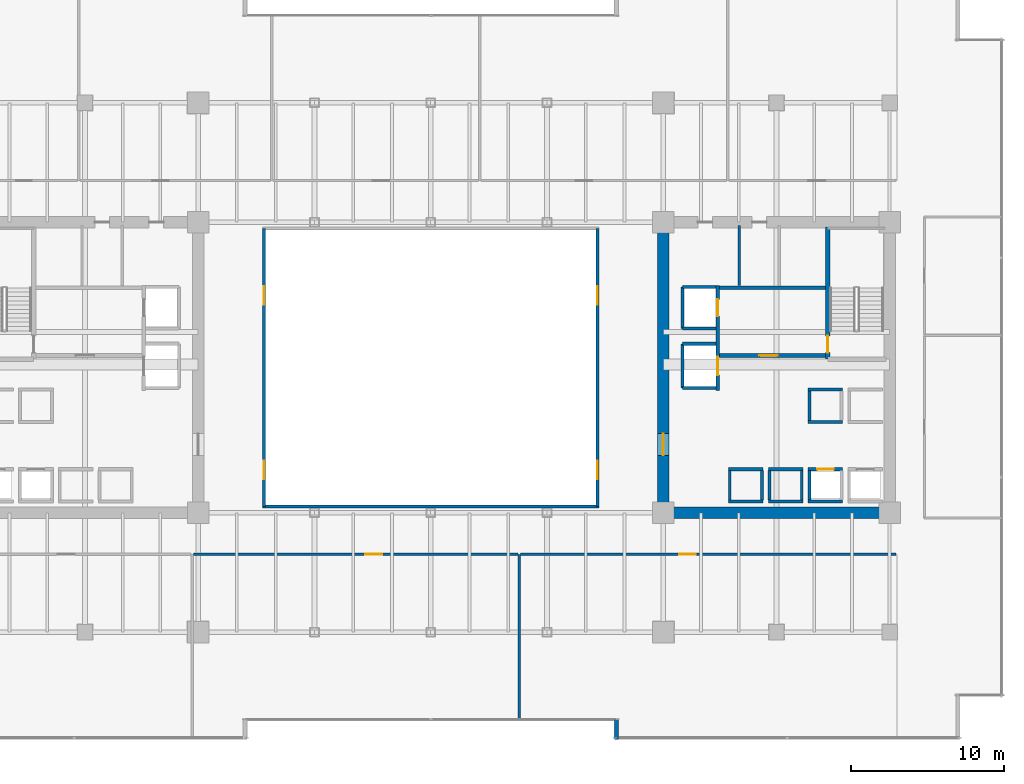
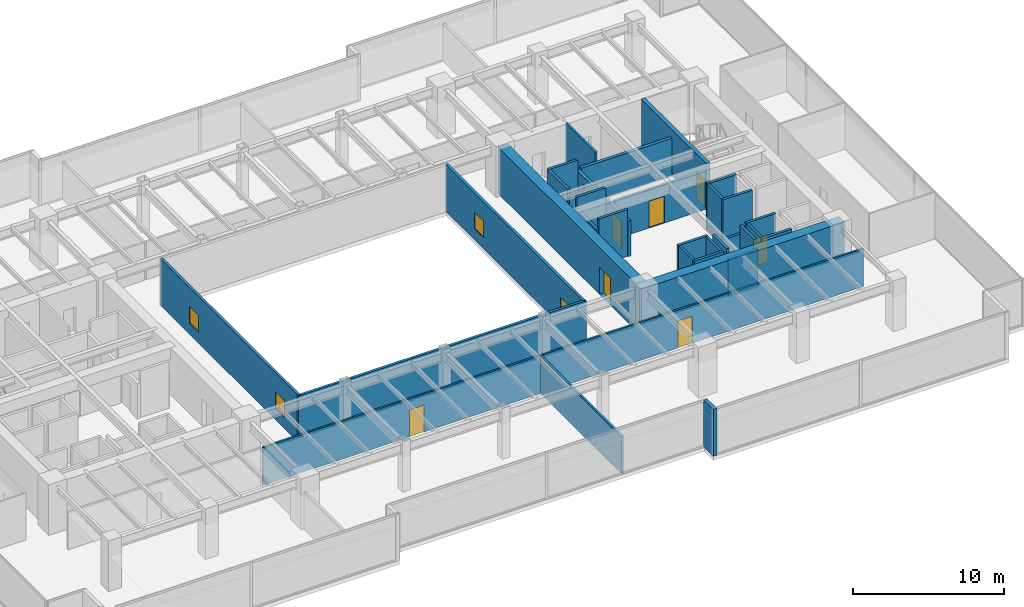
# One storey, part 30 of 36: 34 walls, 8 doors, 4 windows, 12 openings.
"""IFC4 building model written with IfcOpenShell, lengths in metres."""

from ifc_helpers import new_model, si_unit, direction, frame, frame_2d, origin, place, context, subcontext, project, spatial, rectangle, extrude, source, transform, mapped, material, layer, layer_set, type_object, type_shapes, element, fill, save


model = new_model("IFC4")

# Units and contexts
model_context = context("Model", 3, precision=1e-05, world=origin(), true_north=direction((0.0, 1.0)))
body_context = subcontext(model_context, "Body", "Model", "MODEL_VIEW")
ifc_project = project(units=[si_unit("LENGTHUNIT", "METRE"), si_unit("AREAUNIT", "SQUARE_METRE"), si_unit("VOLUMEUNIT", "CUBIC_METRE"), si_unit("PLANEANGLEUNIT", "RADIAN"), si_unit("MASSUNIT", "GRAM", prefix="KILO")], contexts=[model_context])

# Site, building, storey
site_placement = place(None, origin())
site = spatial("IfcSite", under=ifc_project, at=site_placement, CompositionType="ELEMENT")
building_placement = place(site_placement, origin())
building = spatial("IfcBuilding", under=site, at=building_placement, Name="Haelvirn Gate Laboratories", CompositionType="ELEMENT")
storey_placement = place(building_placement, frame((0.0, 0.0, 53.89990234375)))
storey = spatial("IfcBuildingStorey", under=building, at=storey_placement, Name="L13", CompositionType="ELEMENT", Elevation=53.89990234375)

# Walls
ifc_material_1 = material(Name="Thermally-broken bronze aluminium rainscreen & mineral wool", Category="aluminium")
ifc_layer_1 = layer(ifc_material_1, 0.280029296875, Name="EW-TERR-280")
ifc_layer_set_1 = layer_set([ifc_layer_1], Name="Thermally-broken bronze aluminium rainscreen & mineral wool")
wall_type_1 = type_object("IfcWallType", Name="EW-TERR-280", PredefinedType="STANDARD", material=ifc_layer_set_1)
wall_1_placement = place(storey_placement, frame((49.5400390625, 1.2880859375, 0.0), z_axis=(0.0, 0.0, 1.0), x_axis=(0.0, -1.0, 0.0)))
element("IfcWall", 1, at=wall_1_placement, inside=storey, type_object=wall_type_1, Name="L13 Atrium Recess Bronze Return Wall 03", PredefinedType="STANDARD", context=body_context, shape_type="SweptSolid", body=[
    extrude(rectangle(XDim=1.2880859375, YDim=0.280029296875, at=frame_2d((0.64404296875, 0.0))), origin(), (0.0, 0.0, 1.0), 3.780029296875),
])
ifc_material_2 = material(Name="Double-layer acoustic gypsum laboratory partition", Category="gypsum")
ifc_layer_2 = layer(ifc_material_2, 0.159912109375, Name="IW-ACOUST-160")
ifc_layer_set_2 = layer_set([ifc_layer_2], Name="Double-layer acoustic gypsum laboratory partition")
wall_type_2 = type_object("IfcWallType", Name="IW-ACOUST-160", PredefinedType="PARTITIONING", material=ifc_layer_set_2)
wall_2_placement = place(storey_placement, frame((43.199951171875, 1.31005859375, 0.0), z_axis=(0.0, 0.0, 1.0), x_axis=(0.0, 1.0, 0.0)))
element("IfcWall", 2, at=wall_2_placement, inside=storey, type_object=wall_type_2, Name="L13 Interior Wall IW-L13-SDIV-02", PredefinedType="PARTITIONING", context=body_context, shape_type="SweptSolid", body=[
    extrude(rectangle(XDim=10.780029296875, YDim=0.159912109375, at=frame_2d((5.39013671875, 0.0))), origin(), (0.0, 0.0, 1.0), 3.01513671875),
])

# Wall, openings, windows
ifc_material_3 = material(Name="Tempered fire-rated borosilicate glass & anodised aluminium", Category="aluminium")
ifc_layer_3 = layer(ifc_material_3, 0.195068359375, Name="IW-GLAZ-200")
ifc_layer_set_3 = layer_set([ifc_layer_3], Name="Tempered fire-rated borosilicate glass & anodised aluminium")
wall_type_3 = type_object("IfcWallType", Name="IW-GLAZ-200", PredefinedType="SOLIDWALL", material=ifc_layer_set_3)
wall_3_placement = place(storey_placement, frame((26.5, 15.199951171875, 0.0), z_axis=(0.0, 0.0, 1.0), x_axis=(0.0, 1.0, 0.0)))
wall_3 = element("IfcWall", 3, at=wall_3_placement, inside=storey, type_object=wall_type_3, Name="L13 Interior Wall IW-L13-ATRIUM-W", PredefinedType="SOLIDWALL", context=body_context, shape_type="SweptSolid", body=[
    extrude(rectangle(XDim=18.199951171875, YDim=0.195068359375, at=frame_2d((9.10009765625, 0.0))), origin(), (0.0, 0.0, 1.0), 3.780029296875),
])
opening_1_placement = place(wall_3_placement, frame((1.800048828125, 0.0, 0.89990234375)))
opening_1 = element("IfcOpeningElement", 4, at=opening_1_placement, cuts=wall_3, Name="Opening W6", PredefinedType="OPENING", context=body_context, shape_type="SweptSolid", body=[
    extrude(rectangle(XDim=1.199951171875, YDim=1.35009765625, at=frame_2d((0.60009765625, 0.675048828125))), frame((0.0, 0.107421875, 0.0), z_axis=(0.0, -1.0, 0.0), x_axis=(1.0, 0.0, 0.0)), (0.0, 0.0, 1.0), 0.215087890625),
])
opening_2_placement = place(wall_3_placement, frame((13.199951171875, 0.0, 0.89990234375)))
opening_2 = element("IfcOpeningElement", 5, at=opening_2_placement, cuts=wall_3, Name="Opening W6", PredefinedType="OPENING", context=body_context, shape_type="SweptSolid", body=[
    extrude(rectangle(XDim=1.199951171875, YDim=1.35009765625, at=frame_2d((0.60009765625, 0.675048828125))), frame((0.0, 0.107421875, 0.0), z_axis=(0.0, -1.0, 0.0), x_axis=(1.0, 0.0, 0.0)), (0.0, 0.0, 1.0), 0.215087890625),
])
ifc_material_4 = material(Name="Fire-rated EI 120 borosilicate atrium vision glazing", Category="glass")
window_type = type_object("IfcWindowType", Name="WN-ATR-1200", PartitioningType="SINGLE_PANEL", PredefinedType="WINDOW", material=ifc_material_4)
shared_shape_1 = source(origin(), body_context, "Body", "SweptSolid", [
    extrude(rectangle(XDim=1.199951171875, YDim=1.35009765625, at=frame_2d((0.60009765625, 0.675048828125))), frame((0.0, 0.030029296875, 0.0), z_axis=(0.0, -1.0, 0.0), x_axis=(1.0, 0.0, 0.0)), (0.0, 0.0, 1.0), 0.06005859375),
])
type_shapes(window_type, [shared_shape_1])
window_1_placement = place(opening_1_placement, origin())
window_1 = element("IfcWindow", 6, at=window_1_placement, inside=storey, type_object=window_type, Name="L13 Atrium Observation Window 1", OverallHeight=1.35009765625, OverallWidth=1.199951171875, PartitioningType="SINGLE_PANEL", PredefinedType="WINDOW", context=body_context, shape_type="MappedRepresentation", body=[
    mapped(shared_shape_1, transform((0.0, 0.0, 0.0), scale=1.0)),
])
fill(opening_1, window_1)
window_2_placement = place(opening_2_placement, origin())
window_2 = element("IfcWindow", 7, at=window_2_placement, inside=storey, type_object=window_type, Name="L13 Atrium Observation Window 2", OverallHeight=1.35009765625, OverallWidth=1.199951171875, PartitioningType="SINGLE_PANEL", PredefinedType="WINDOW", context=body_context, shape_type="MappedRepresentation", body=[
    mapped(shared_shape_1, transform((0.0, 0.0, 0.0), scale=1.0)),
])
fill(opening_2, window_2)

wall_4_placement = place(storey_placement, frame((48.300048828125, 15.199951171875, 0.0), z_axis=(0.0, 0.0, 1.0), x_axis=(0.0, 1.0, 0.0)))
wall_4 = element("IfcWall", 8, at=wall_4_placement, inside=storey, type_object=wall_type_3, Name="L13 Interior Wall IW-L13-ATRIUM-E", PredefinedType="SOLIDWALL", context=body_context, shape_type="SweptSolid", body=[
    extrude(rectangle(XDim=18.199951171875, YDim=0.195068359375, at=frame_2d((9.10009765625, 0.0))), origin(), (0.0, 0.0, 1.0), 3.780029296875),
])
opening_3_placement = place(wall_4_placement, frame((1.800048828125, 0.0, 0.89990234375)))
opening_3 = element("IfcOpeningElement", 9, at=opening_3_placement, cuts=wall_4, Name="Opening W6", PredefinedType="OPENING", context=body_context, shape_type="SweptSolid", body=[
    extrude(rectangle(XDim=1.199951171875, YDim=1.35009765625, at=frame_2d((0.60009765625, 0.675048828125))), frame((0.0, 0.107421875, 0.0), z_axis=(0.0, -1.0, 0.0), x_axis=(1.0, 0.0, 0.0)), (0.0, 0.0, 1.0), 0.215087890625),
])
opening_4_placement = place(wall_4_placement, frame((13.199951171875, 0.0, 0.89990234375)))
opening_4 = element("IfcOpeningElement", 10, at=opening_4_placement, cuts=wall_4, Name="Opening W6", PredefinedType="OPENING", context=body_context, shape_type="SweptSolid", body=[
    extrude(rectangle(XDim=1.199951171875, YDim=1.35009765625, at=frame_2d((0.60009765625, 0.675048828125))), frame((0.0, 0.107421875, 0.0), z_axis=(0.0, -1.0, 0.0), x_axis=(1.0, 0.0, 0.0)), (0.0, 0.0, 1.0), 0.215087890625),
])
window_3_placement = place(opening_3_placement, origin())
window_3 = element("IfcWindow", 11, at=window_3_placement, inside=storey, type_object=window_type, Name="L13 Atrium Observation Window 1", OverallHeight=1.35009765625, OverallWidth=1.199951171875, PartitioningType="SINGLE_PANEL", PredefinedType="WINDOW", context=body_context, shape_type="MappedRepresentation", body=[
    mapped(shared_shape_1, transform((0.0, 0.0, 0.0), scale=1.0)),
])
fill(opening_3, window_3)
window_4_placement = place(opening_4_placement, origin())
window_4 = element("IfcWindow", 12, at=window_4_placement, inside=storey, type_object=window_type, Name="L13 Atrium Observation Window 2", OverallHeight=1.35009765625, OverallWidth=1.199951171875, PartitioningType="SINGLE_PANEL", PredefinedType="WINDOW", context=body_context, shape_type="MappedRepresentation", body=[
    mapped(shared_shape_1, transform((0.0, 0.0, 0.0), scale=1.0)),
])
fill(opening_4, window_4)

# Wall
wall_5_placement = place(storey_placement, frame((26.39990234375, 15.199951171875, 0.0), z_axis=(0.0, 0.0, 1.0), x_axis=(1.0, 0.0, 0.0)))
element("IfcWall", 13, at=wall_5_placement, inside=storey, type_object=wall_type_3, Name="L13 Interior Wall IW-L13-ATRIUM-S", PredefinedType="SOLIDWALL", context=body_context, shape_type="SweptSolid", body=[
    extrude(rectangle(XDim=22.0, YDim=0.195068359375, at=frame_2d((11.0, 0.0))), origin(), (0.0, 0.0, 1.0), 3.780029296875),
])

# Wall, opening, door
ifc_material_5 = material(Name="Acoustic mineral-wool gypsum board partition", Category="gypsum")
ifc_layer_4 = layer(ifc_material_5, 0.139892578125, Name="IW-PART-140")
ifc_layer_set_4 = layer_set([ifc_layer_4], Name="Acoustic mineral-wool gypsum board partition")
wall_type_4 = type_object("IfcWallType", Name="IW-PART-140", PredefinedType="PARTITIONING", material=ifc_layer_set_4)
wall_6_placement = place(storey_placement, frame((21.8798828125, 12.090087890625, 0.0), z_axis=(0.0, 0.0, 1.0), x_axis=(1.0, 0.0, 0.0)))
wall_6 = element("IfcWall", 14, at=wall_6_placement, inside=storey, type_object=wall_type_4, Name="L13 Interior Wall IW-L13-SCORR-02", PredefinedType="PARTITIONING", context=body_context, shape_type="SweptSolid", body=[
    extrude(rectangle(XDim=21.240234375, YDim=0.139892578125, at=frame_2d((10.6201171875, 0.0))), origin(), (0.0, 0.0, 1.0), 3.065185546875),
])
opening_5_placement = place(wall_6_placement, frame((11.236328125, 0.0, 0.0)))
opening_5 = element("IfcOpeningElement", 15, at=opening_5_placement, cuts=wall_6, Name="Opening D1", PredefinedType="OPENING", context=body_context, shape_type="SweptSolid", body=[
    extrude(rectangle(XDim=1.10009765625, YDim=2.179931640625, at=frame_2d((0.550048828125, 1.08984375))), frame((0.0, 0.080078125, 0.0), z_axis=(0.0, -1.0, 0.0), x_axis=(1.0, 0.0, 0.0)), (0.0, 0.0, 1.0), 0.159912109375),
])
ifc_material_6 = material(Name="Vision-panel acoustic solid-core timber lab door", Category="wood")
door_type_1 = type_object("IfcDoorType", Name="DR-LAB-1100", OperationType="NOTDEFINED", PredefinedType="DOOR", material=ifc_material_6)
shared_shape_2 = source(origin(), body_context, "Body", "SweptSolid", [
    extrude(rectangle(XDim=1.10009765625, YDim=2.179931640625, at=frame_2d((0.550048828125, 1.08984375))), frame((0.0, 0.02490234375, 0.0), z_axis=(0.0, -1.0, 0.0), x_axis=(1.0, 0.0, 0.0)), (0.0, 0.0, 1.0), 0.050048828125),
])
type_shapes(door_type_1, [shared_shape_2])
door_1_placement = place(opening_5_placement, origin())
door_1 = element("IfcDoor", 16, at=door_1_placement, inside=storey, type_object=door_type_1, Name="L13 Colloquium Conference Room Door S2", OperationType="SINGLE_SWING_LEFT", OverallHeight=2.179931640625, OverallWidth=1.10009765625, PredefinedType="DOOR", context=body_context, shape_type="MappedRepresentation", body=[
    mapped(shared_shape_2, transform((0.0, 0.0, 0.0), scale=1.0)),
])
fill(opening_5, door_1)

wall_7_placement = place(storey_placement, frame((43.280029296875, 12.090087890625, 0.0), z_axis=(0.0, 0.0, 1.0), x_axis=(1.0, 0.0, 0.0)))
wall_7 = element("IfcWall", 17, at=wall_7_placement, inside=storey, type_object=wall_type_4, Name="L13 Interior Wall IW-L13-SCORR-03", PredefinedType="PARTITIONING", context=body_context, shape_type="SweptSolid", body=[
    extrude(rectangle(XDim=24.5400390625, YDim=0.139892578125, at=frame_2d((12.27001953125, 0.0))), origin(), (0.0, 0.0, 1.0), 3.065185546875),
])
opening_6_placement = place(wall_7_placement, frame((10.355712890625, 0.0, 0.0)))
opening_6 = element("IfcOpeningElement", 18, at=opening_6_placement, cuts=wall_7, Name="Opening D1", PredefinedType="OPENING", context=body_context, shape_type="SweptSolid", body=[
    extrude(rectangle(XDim=1.10009765625, YDim=2.179931640625, at=frame_2d((0.550048828125, 1.08984375))), frame((0.0, 0.080078125, 0.0), z_axis=(0.0, -1.0, 0.0), x_axis=(1.0, 0.0, 0.0)), (0.0, 0.0, 1.0), 0.159912109375),
])
door_2_placement = place(opening_6_placement, origin())
door_2 = element("IfcDoor", 19, at=door_2_placement, inside=storey, type_object=door_type_1, Name="L13 Floor Hydration & Tea Servery Door S3", OperationType="SINGLE_SWING_RIGHT", OverallHeight=2.179931640625, OverallWidth=1.10009765625, PredefinedType="DOOR", context=body_context, shape_type="MappedRepresentation", body=[
    mapped(shared_shape_2, transform((0.0, 0.0, 0.0), scale=1.0)),
])
fill(opening_6, door_2)

# Walls
ifc_material_7 = material(Name="Cement-board restroom plumbing chase wall", Category="gypsum")
ifc_layer_5 = layer(ifc_material_7, 0.155029296875, Name="IW-PLUMB-160")
ifc_layer_set_5 = layer_set([ifc_layer_5], Name="Cement-board restroom plumbing chase wall")
wall_type_5 = type_object("IfcWallType", Name="IW-PLUMB-160", PredefinedType="PLUMBINGWALL", material=ifc_layer_set_5)
wall_8_placement = place(storey_placement, frame((57.56005859375, 29.64990234375, 0.0), z_axis=(0.0, 0.0, 1.0), x_axis=(0.0, 1.0, 0.0)))
element("IfcWall", 20, at=wall_8_placement, inside=storey, type_object=wall_type_5, Name="L13 Interior Wall IW-L13-E-CDIV-1", PredefinedType="PLUMBINGWALL", context=body_context, shape_type="SweptSolid", body=[
    extrude(rectangle(XDim=3.93017578125, YDim=0.155029296875, at=frame_2d((1.965087890625, 0.0))), origin(), (0.0, 0.0, 1.0), 3.780029296875),
])
ifc_material_8 = material(Name="Concrete C40/50", Category="concrete")
ifc_layer_6 = layer(ifc_material_8, 0.179931640625, Name="IW-SHAFT-180")
ifc_layer_set_6 = layer_set([ifc_layer_6], Name="Concrete C40/50")
wall_type_6 = type_object("IfcWallType", Name="IW-SHAFT-180", PredefinedType="SOLIDWALL", material=ifc_layer_set_6)
for number, where, z_axis, x_axis, name in (
    (21, (62.14990234375, 15.64990234375, 0.0), (0.0, 0.0, 1.0), (0.0, 1.0, 0.0), "L13 Interior Wall IW-L13-PL4-SD"),
    (22, (59.550048828125, 15.64990234375, 0.0), (0.0, 0.0, 1.0), (0.0, 1.0, 0.0), "L13 Interior Wall IW-L13-PL7-SD"),
    (23, (61.64990234375, 15.64990234375, 0.0), (0.0, 0.0, 1.0), (0.0, 1.0, 0.0), "L13 Interior Wall IW-L13-PL7-SDE"),
    (24, (56.949951171875, 15.64990234375, 0.0), (0.0, 0.0, 1.0), (0.0, 1.0, 0.0), "L13 Interior Wall IW-L13-PL8-SD"),
    (25, (59.050048828125, 15.64990234375, 0.0), (0.0, 0.0, 1.0), (0.0, 1.0, 0.0), "L13 Interior Wall IW-L13-PL8-SDE"),
):
    element("IfcWall", number, at=place(storey_placement, frame(where, z_axis=z_axis, x_axis=x_axis)), inside=storey, type_object=wall_type_6, Name=name, PredefinedType="SOLIDWALL", context=body_context, shape_type="SweptSolid", body=[
        extrude(rectangle(XDim=1.900146484375, YDim=0.179931640625, at=frame_2d((0.9501953125, 0.0))), origin(), (0.0, 0.0, 1.0), 3.780029296875),
    ])
wall_9_placement = place(storey_placement, frame((62.14990234375, 20.85009765625, 0.0), z_axis=(0.0, 0.0, 1.0), x_axis=(0.0, 1.0, 0.0)))
element("IfcWall", 26, at=wall_9_placement, inside=storey, type_object=wall_type_6, Name="L13 Interior Wall IW-L13-PL12-SD", PredefinedType="SOLIDWALL", context=body_context, shape_type="SweptSolid", body=[
    extrude(rectangle(XDim=1.89990234375, YDim=0.179931640625, at=frame_2d((0.949951171875, 0.0))), origin(), (0.0, 0.0, 1.0), 3.780029296875),
])

# Wall, opening, door
ifc_layer_7 = layer(ifc_material_8, 0.199951171875, Name="IW-SHAFT-200")
ifc_layer_set_7 = layer_set([ifc_layer_7], Name="Concrete C40/50")
wall_type_7 = type_object("IfcWallType", Name="IW-SHAFT-200", PredefinedType="SOLIDWALL", material=ifc_layer_set_7)
wall_10_placement = place(storey_placement, frame((62.070068359375, 17.64990234375, 0.0), z_axis=(0.0, 0.0, 1.0), x_axis=(1.0, 0.0, 0.0)))
wall_10 = element("IfcWall", 27, at=wall_10_placement, inside=storey, type_object=wall_type_7, Name="L13 Interior Wall IW-L13-PL4-FR", PredefinedType="SOLIDWALL", context=body_context, shape_type="SweptSolid", body=[
    extrude(rectangle(XDim=2.260009765625, YDim=0.199951171875, at=frame_2d((1.1298828125, 0.0))), origin(), (0.0, 0.0, 1.0), 3.780029296875),
])
opening_7_placement = place(wall_10_placement, frame((0.580078125, 0.0, 0.0)))
opening_7 = element("IfcOpeningElement", 28, at=opening_7_placement, cuts=wall_10, Name="Opening LD2", PredefinedType="OPENING", context=body_context, shape_type="SweptSolid", body=[
    extrude(rectangle(XDim=1.10009765625, YDim=2.219970703125, at=frame_2d((0.550048828125, 1.10986328125))), frame((0.0, 0.10986328125, 0.0), z_axis=(0.0, -1.0, 0.0), x_axis=(1.0, 0.0, 0.0)), (0.0, 0.0, 1.0), 0.219970703125),
])
ifc_material_9 = material(Name="Bronze stainless 316L sliding lift landing door")
door_type_2 = type_object("IfcDoorType", Name="DR-LD-1100", OperationType="NOTDEFINED", PredefinedType="USERDEFINED", material=ifc_material_9)
shared_shape_3 = source(origin(), body_context, "Body", "SweptSolid", [
    extrude(rectangle(XDim=1.10009765625, YDim=2.219970703125, at=frame_2d((0.550048828125, 1.10986328125))), frame((0.0, 0.02490234375, 0.0), z_axis=(0.0, -1.0, 0.0), x_axis=(1.0, 0.0, 0.0)), (0.0, 0.0, 1.0), 0.050048828125),
])
type_shapes(door_type_2, [shared_shape_3])
door_3_placement = place(opening_7_placement, origin())
door_3 = element("IfcDoor", 29, at=door_3_placement, inside=storey, type_object=door_type_2, Name="L13 Passenger Lift PL4 Landing Door", ObjectType="LANDING_DOOR", OperationType="SLIDING_TO_RIGHT", OverallHeight=2.219970703125, OverallWidth=1.10009765625, PredefinedType="USERDEFINED", context=body_context, shape_type="MappedRepresentation", body=[
    mapped(shared_shape_3, transform((0.0, 0.0, 0.0), scale=1.0)),
])
fill(opening_7, door_3)

# Walls
wall_11_placement = place(storey_placement, frame((62.070068359375, 15.550048828125, 0.0), z_axis=(0.0, 0.0, 1.0), x_axis=(1.0, 0.0, 0.0)))
element("IfcWall", 30, at=wall_11_placement, inside=storey, type_object=wall_type_7, Name="L13 Interior Wall IW-L13-PL4-BK", PredefinedType="SOLIDWALL", context=body_context, shape_type="SweptSolid", body=[
    extrude(rectangle(XDim=2.260009765625, YDim=0.199951171875, at=frame_2d((1.1298828125, 0.0))), origin(), (0.0, 0.0, 1.0), 3.780029296875),
])
for number, where, z_axis, x_axis, name in (
    (31, (59.469970703125, 17.64990234375, 0.0), (0.0, 0.0, 1.0), (1.0, 0.0, 0.0), "L13 Interior Wall IW-L13-PL7-FR"),
    (32, (59.469970703125, 15.550048828125, 0.0), (0.0, 0.0, 1.0), (1.0, 0.0, 0.0), "L13 Interior Wall IW-L13-PL7-BK"),
):
    element("IfcWall", number, at=place(storey_placement, frame(where, z_axis=z_axis, x_axis=x_axis)), inside=storey, type_object=wall_type_7, Name=name, PredefinedType="SOLIDWALL", context=body_context, shape_type="SweptSolid", body=[
        extrude(rectangle(XDim=2.260009765625, YDim=0.199951171875, at=frame_2d((1.1298828125, 0.0))), origin(), (0.0, 0.0, 1.0), 3.065185546875),
    ])
for number, where, z_axis, x_axis, name in (
    (33, (56.8701171875, 17.64990234375, 0.0), (0.0, 0.0, 1.0), (1.0, 0.0, 0.0), "L13 Interior Wall IW-L13-PL8-FR"),
    (34, (56.8701171875, 15.550048828125, 0.0), (0.0, 0.0, 1.0), (1.0, 0.0, 0.0), "L13 Interior Wall IW-L13-PL8-BK"),
):
    element("IfcWall", number, at=place(storey_placement, frame(where, z_axis=z_axis, x_axis=x_axis)), inside=storey, type_object=wall_type_7, Name=name, PredefinedType="SOLIDWALL", context=body_context, shape_type="SweptSolid", body=[
        extrude(rectangle(XDim=2.259765625, YDim=0.199951171875, at=frame_2d((1.1298828125, 0.0))), origin(), (0.0, 0.0, 1.0), 3.780029296875),
    ])
for number, where, z_axis, x_axis, name in (
    (35, (62.070068359375, 20.75, 0.0), (0.0, 0.0, 1.0), (1.0, 0.0, 0.0), "L13 Interior Wall IW-L13-PL12-FR"),
    (36, (62.070068359375, 22.85009765625, 0.0), (0.0, 0.0, 1.0), (1.0, 0.0, 0.0), "L13 Interior Wall IW-L13-PL12-BK"),
):
    element("IfcWall", number, at=place(storey_placement, frame(where, z_axis=z_axis, x_axis=x_axis)), inside=storey, type_object=wall_type_7, Name=name, PredefinedType="SOLIDWALL", context=body_context, shape_type="SweptSolid", body=[
        extrude(rectangle(XDim=2.260009765625, YDim=0.199951171875, at=frame_2d((1.1298828125, 0.0))), origin(), (0.0, 0.0, 1.0), 3.780029296875),
    ])
wall_12_placement = place(storey_placement, frame((53.85009765625, 26.85009765625, 0.0), z_axis=(0.0, 0.0, 1.0), x_axis=(0.0, 1.0, 0.0)))
element("IfcWall", 37, at=wall_12_placement, inside=storey, type_object=wall_type_7, Name="L13 Interior Wall IW-L13-FL2-BK", PredefinedType="SOLIDWALL", context=body_context, shape_type="SweptSolid", body=[
    extrude(rectangle(XDim=2.699951171875, YDim=0.199951171875, at=frame_2d((1.35009765625, 0.0))), origin(), (0.0, 0.0, 1.0), 3.780029296875),
])
wall_13_placement = place(storey_placement, frame((53.85009765625, 29.550048828125, 0.0), z_axis=(0.0, 0.0, 1.0), x_axis=(1.0, 0.0, 0.0)))
element("IfcWall", 38, at=wall_13_placement, inside=storey, type_object=wall_type_7, Name="L13 Interior Wall IW-L13-FL2-N", PredefinedType="SOLIDWALL", context=body_context, shape_type="SweptSolid", body=[
    extrude(rectangle(XDim=2.18994140625, YDim=0.199951171875, at=frame_2d((1.094970703125, 0.0))), origin(), (0.0, 0.0, 1.0), 3.780029296875),
])
wall_14_placement = place(storey_placement, frame((53.85009765625, 26.85009765625, 0.0), z_axis=(0.0, 0.0, 1.0), x_axis=(1.0, 0.0, 0.0)))
element("IfcWall", 39, at=wall_14_placement, inside=storey, type_object=wall_type_7, Name="L13 Interior Wall IW-L13-FL2-S", PredefinedType="SOLIDWALL", context=body_context, shape_type="SweptSolid", body=[
    extrude(rectangle(XDim=2.18994140625, YDim=0.199951171875, at=frame_2d((1.094970703125, 0.0))), origin(), (0.0, 0.0, 1.0), 3.177001953125),
])
wall_15_placement = place(storey_placement, frame((53.85009765625, 22.949951171875, 0.0), z_axis=(0.0, 0.0, 1.0), x_axis=(0.0, 1.0, 0.0)))
element("IfcWall", 40, at=wall_15_placement, inside=storey, type_object=wall_type_7, Name="L13 Interior Wall IW-L13-SL2-BK", PredefinedType="SOLIDWALL", context=body_context, shape_type="SweptSolid", body=[
    extrude(rectangle(XDim=2.900146484375, YDim=0.199951171875, at=frame_2d((1.4501953125, 0.0))), origin(), (0.0, 0.0, 1.0), 2.864990234375),
])
for number, where, z_axis, x_axis, name in (
    (41, (53.85009765625, 25.85009765625, 0.0), (0.0, 0.0, 1.0), (1.0, 0.0, 0.0), "L13 Interior Wall IW-L13-SL2-N"),
    (42, (53.85009765625, 22.949951171875, 0.0), (0.0, 0.0, 1.0), (1.0, 0.0, 0.0), "L13 Interior Wall IW-L13-SL2-S"),
):
    element("IfcWall", number, at=place(storey_placement, frame(where, z_axis=z_axis, x_axis=x_axis)), inside=storey, type_object=wall_type_7, Name=name, PredefinedType="SOLIDWALL", context=body_context, shape_type="SweptSolid", body=[
        extrude(rectangle(XDim=2.18994140625, YDim=0.199951171875, at=frame_2d((1.094970703125, 0.0))), origin(), (0.0, 0.0, 1.0), 3.780029296875),
    ])

# Wall, opening, door
ifc_layer_8 = layer(ifc_material_8, 0.239990234375, Name="IW-SHAFT-240")
ifc_layer_set_8 = layer_set([ifc_layer_8], Name="Concrete C40/50")
wall_type_8 = type_object("IfcWallType", Name="IW-SHAFT-240", PredefinedType="SOLIDWALL", material=ifc_layer_set_8)
wall_16_placement = place(storey_placement, frame((56.280029296875, 25.080078125, 0.0), z_axis=(0.0, 0.0, 1.0), x_axis=(1.0, 0.0, 0.0)))
wall_16 = element("IfcWall", 43, at=wall_16_placement, inside=storey, type_object=wall_type_8, Name="L13 Interior Wall IW-L13-E-FF-S", PredefinedType="SOLIDWALL", context=body_context, shape_type="SweptSolid", body=[
    extrude(rectangle(XDim=6.919921875, YDim=0.239990234375, at=frame_2d((3.4599609375, 0.0))), origin(), (0.0, 0.0, 1.0), 3.065185546875),
])
opening_8_placement = place(wall_16_placement, frame((2.60009765625, 0.0, 0.0)))
opening_8 = element("IfcOpeningElement", 44, at=opening_8_placement, cuts=wall_16, Name="Opening FD2", PredefinedType="OPENING", context=body_context, shape_type="SweptSolid", body=[
    extrude(rectangle(XDim=1.199951171875, YDim=2.159912109375, at=frame_2d((0.60009765625, 1.080078125))), frame((0.0, 0.1298828125, 0.0), z_axis=(0.0, -1.0, 0.0), x_axis=(1.0, 0.0, 0.0)), (0.0, 0.0, 1.0), 0.260009765625),
])
ifc_material_10 = material(Name="Fire-rated steel SM355 compartment door", Category="steel")
door_type_3 = type_object("IfcDoorType", Name="DR-FD-1200", OperationType="NOTDEFINED", PredefinedType="DOOR", material=ifc_material_10)
shared_shape_4 = source(origin(), body_context, "Body", "SweptSolid", [
    extrude(rectangle(XDim=1.199951171875, YDim=2.159912109375, at=frame_2d((0.60009765625, 1.080078125))), frame((0.0, 0.02490234375, 0.0), z_axis=(0.0, -1.0, 0.0), x_axis=(1.0, 0.0, 0.0)), (0.0, 0.0, 1.0), 0.050048828125),
])
type_shapes(door_type_3, [shared_shape_4])
door_4_placement = place(opening_8_placement, origin())
door_4 = element("IfcDoor", 45, at=door_4_placement, inside=storey, type_object=door_type_3, Name="L13 East Firefighting Lobby Door", OperationType="SINGLE_SWING_LEFT", OverallHeight=2.159912109375, OverallWidth=1.199951171875, PredefinedType="DOOR", context=body_context, shape_type="MappedRepresentation", body=[
    mapped(shared_shape_4, transform((0.0, 0.0, 0.0), scale=1.0)),
])
fill(opening_8, door_4)

# Wall
wall_17_placement = place(storey_placement, frame((56.280029296875, 29.52001953125, 0.0), z_axis=(0.0, 0.0, 1.0), x_axis=(1.0, 0.0, 0.0)))
element("IfcWall", 46, at=wall_17_placement, inside=storey, type_object=wall_type_8, Name="L13 Interior Wall IW-L13-E-FF-N", PredefinedType="SOLIDWALL", context=body_context, shape_type="SweptSolid", body=[
    extrude(rectangle(XDim=6.919921875, YDim=0.239990234375, at=frame_2d((3.4599609375, 0.0))), origin(), (0.0, 0.0, 1.0), 3.065185546875),
])

# Wall, openings, doors
wall_18_placement = place(storey_placement, frame((56.159912109375, 22.800048828125, 0.0), z_axis=(0.0, 0.0, 1.0), x_axis=(0.0, 1.0, 0.0)))
wall_18 = element("IfcWall", 47, at=wall_18_placement, inside=storey, type_object=wall_type_8, Name="L13 Interior Wall IW-L13-E-FF-E", PredefinedType="SOLIDWALL", context=body_context, shape_type="SweptSolid", body=[
    extrude(rectangle(XDim=6.849853515625, YDim=0.239990234375, at=frame_2d((3.4248046875, 0.0))), origin(), (0.0, 0.0, 1.0), 2.864990234375),
])
opening_9_placement = place(wall_18_placement, frame((4.85009765625, 0.0, 0.0)))
opening_9 = element("IfcOpeningElement", 48, at=opening_9_placement, cuts=wall_18, Name="Opening LD2", PredefinedType="OPENING", context=body_context, shape_type="SweptSolid", body=[
    extrude(rectangle(XDim=1.10009765625, YDim=2.219970703125, at=frame_2d((0.550048828125, 1.10986328125))), frame((0.0, 0.1298828125, 0.0), z_axis=(0.0, -1.0, 0.0), x_axis=(1.0, 0.0, 0.0)), (0.0, 0.0, 1.0), 0.260009765625),
])
opening_10_placement = place(wall_18_placement, frame((1.0, 0.0, 0.0)))
opening_10 = element("IfcOpeningElement", 49, at=opening_10_placement, cuts=wall_18, Name="Opening LD1", PredefinedType="OPENING", context=body_context, shape_type="SweptSolid", body=[
    extrude(rectangle(XDim=1.199951171875, YDim=2.219970703125, at=frame_2d((0.60009765625, 1.10986328125))), frame((0.0, 0.1298828125, 0.0), z_axis=(0.0, -1.0, 0.0), x_axis=(1.0, 0.0, 0.0)), (0.0, 0.0, 1.0), 0.260009765625),
])
door_5_placement = place(opening_9_placement, origin())
door_5 = element("IfcDoor", 50, at=door_5_placement, inside=storey, type_object=door_type_2, Name="L13 Firefighting Lift FL2 Landing Door", ObjectType="LANDING_DOOR", OperationType="SLIDING_TO_RIGHT", OverallHeight=2.219970703125, OverallWidth=1.10009765625, PredefinedType="USERDEFINED", context=body_context, shape_type="MappedRepresentation", body=[
    mapped(shared_shape_3, transform((0.0, 0.0, 0.0), scale=1.0)),
])
fill(opening_9, door_5)
ifc_material_11 = material(Name="Stainless steel 316L sliding goods landing door", Category="steel")
door_type_4 = type_object("IfcDoorType", Name="DR-LD-1200", OperationType="NOTDEFINED", PredefinedType="USERDEFINED", material=ifc_material_11)
shared_shape_5 = source(origin(), body_context, "Body", "SweptSolid", [
    extrude(rectangle(XDim=1.199951171875, YDim=2.219970703125, at=frame_2d((0.60009765625, 1.10986328125))), frame((0.0, 0.02490234375, 0.0), z_axis=(0.0, -1.0, 0.0), x_axis=(1.0, 0.0, 0.0)), (0.0, 0.0, 1.0), 0.050048828125),
])
type_shapes(door_type_4, [shared_shape_5])
door_6_placement = place(opening_10_placement, origin())
door_6 = element("IfcDoor", 51, at=door_6_placement, inside=storey, type_object=door_type_4, Name="L13 Service Lift SL2 Landing Door", ObjectType="LANDING_DOOR", OperationType="SLIDING_TO_LEFT", OverallHeight=2.219970703125, OverallWidth=1.199951171875, PredefinedType="USERDEFINED", context=body_context, shape_type="MappedRepresentation", body=[
    mapped(shared_shape_5, transform((0.0, 0.0, 0.0), scale=1.0)),
])
fill(opening_10, door_6)

# Wall
ifc_material_12 = material(Name="Concrete C70/85", Category="concrete")
ifc_layer_9 = layer(ifc_material_12, 0.75, Name="SW-CORE-750")
ifc_layer_set_9 = layer_set([ifc_layer_9], Name="Concrete C70/85")
wall_type_9 = type_object("IfcWallType", Name="SW-CORE-750", PredefinedType="SHEAR", material=ifc_layer_set_9)
wall_19_placement = place(storey_placement, frame((52.22509765625, 14.800048828125, 0.0), z_axis=(0.0, 0.0, 1.0), x_axis=(1.0, 0.0, 0.0)))
element("IfcWall", 52, at=wall_19_placement, inside=storey, type_object=wall_type_9, Name="L13 E Core Shear Wall S", PredefinedType="SHEAR", context=body_context, shape_type="SweptSolid", body=[
    extrude(rectangle(XDim=15.5498046875, YDim=0.75, at=frame_2d((7.77490234375, 0.0))), origin(), (0.0, 0.0, 1.0), 3.780029296875),
])

# Wall, opening, door
wall_20_placement = place(storey_placement, frame((52.60009765625, 15.175048828125, 0.0), z_axis=(0.0, 0.0, 1.0), x_axis=(0.0, 1.0, 0.0)))
wall_20 = element("IfcWall", 53, at=wall_20_placement, inside=storey, type_object=wall_type_9, Name="L13 E Core Shear Wall W", PredefinedType="SHEAR", context=body_context, shape_type="SweptSolid", body=[
    extrude(rectangle(XDim=18.25, YDim=0.75, at=frame_2d((9.125, 0.0))), origin(), (0.0, 0.0, 1.0), 3.780029296875),
])
opening_11_placement = place(wall_20_placement, frame((3.375, 0.0, 0.0)))
opening_11 = element("IfcOpeningElement", 54, at=opening_11_placement, cuts=wall_20, Name="Opening FD1", PredefinedType="OPENING", context=body_context, shape_type="SweptSolid", body=[
    extrude(rectangle(XDim=1.419921875, YDim=2.199951171875, at=frame_2d((0.7099609375, 1.10009765625))), frame((0.0, 0.385009765625, 0.0), z_axis=(0.0, -1.0, 0.0), x_axis=(1.0, 0.0, 0.0)), (0.0, 0.0, 1.0), 0.77001953125),
])
ifc_material_13 = material(Name="Fire-rated double steel SM355 lobby door", Category="steel")
door_type_5 = type_object("IfcDoorType", Name="DR-FD-1400", OperationType="NOTDEFINED", PredefinedType="DOOR", material=ifc_material_13)
shared_shape_6 = source(origin(), body_context, "Body", "SweptSolid", [
    extrude(rectangle(XDim=1.419921875, YDim=2.199951171875, at=frame_2d((0.7099609375, 1.10009765625))), frame((0.0, 0.02490234375, 0.0), z_axis=(0.0, -1.0, 0.0), x_axis=(1.0, 0.0, 0.0)), (0.0, 0.0, 1.0), 0.050048828125),
])
type_shapes(door_type_5, [shared_shape_6])
door_7_placement = place(opening_11_placement, origin())
door_7 = element("IfcDoor", 55, at=door_7_placement, inside=storey, type_object=door_type_5, Name="L13 East Core Lift Lobby Fire Door", OperationType="DOUBLE_DOOR_SINGLE_SWING", OverallHeight=2.199951171875, OverallWidth=1.419921875, PredefinedType="DOOR", context=body_context, shape_type="MappedRepresentation", body=[
    mapped(shared_shape_6, transform((0.0, 0.0, 0.0), scale=1.0)),
])
fill(opening_11, door_7)

ifc_material_14 = material(Name="Concrete C50/60", Category="concrete")
ifc_layer_10 = layer(ifc_material_14, 0.300048828125, Name="SW-STAIR-300")
ifc_layer_set_10 = layer_set([ifc_layer_10], Name="Concrete C50/60")
wall_type_10 = type_object("IfcWallType", Name="SW-STAIR-300", PredefinedType="SHEAR", material=ifc_layer_set_10)
wall_21_placement = place(storey_placement, frame((63.35009765625, 24.85009765625, 0.0), z_axis=(0.0, 0.0, 1.0), x_axis=(0.0, 1.0, 0.0)))
wall_21 = element("IfcWall", 56, at=wall_21_placement, inside=storey, type_object=wall_type_10, Name="L13 E Core Stair Shaft Structural Wall IN", PredefinedType="SHEAR", context=body_context, shape_type="SweptSolid", body=[
    extrude(rectangle(XDim=8.6298828125, YDim=0.300048828125, at=frame_2d((4.31494140625, 0.0))), origin(), (0.0, 0.0, 1.0), 3.780029296875),
])
opening_12_placement = place(wall_21_placement, frame((0.419921875, 0.0, 0.0)))
opening_12 = element("IfcOpeningElement", 57, at=opening_12_placement, cuts=wall_21, Name="Opening FD3", PredefinedType="OPENING", context=body_context, shape_type="SweptSolid", body=[
    extrude(rectangle(XDim=1.10009765625, YDim=2.14990234375, at=frame_2d((0.550048828125, 1.074951171875))), frame((0.0, 0.16015625, 0.0), z_axis=(0.0, -1.0, 0.0), x_axis=(1.0, 0.0, 0.0)), (0.0, 0.0, 1.0), 0.320068359375),
])
ifc_material_15 = material(Name="Fire-rated steel SM355 escape stair door", Category="steel")
door_type_6 = type_object("IfcDoorType", Name="DR-FD-1100", OperationType="NOTDEFINED", PredefinedType="DOOR", material=ifc_material_15)
shared_shape_7 = source(origin(), body_context, "Body", "SweptSolid", [
    extrude(rectangle(XDim=1.10009765625, YDim=2.14990234375, at=frame_2d((0.550048828125, 1.074951171875))), frame((0.0, 0.02490234375, 0.0), z_axis=(0.0, -1.0, 0.0), x_axis=(1.0, 0.0, 0.0)), (0.0, 0.0, 1.0), 0.050048828125),
])
type_shapes(door_type_6, [shared_shape_7])
door_8_placement = place(opening_12_placement, origin())
door_8 = element("IfcDoor", 58, at=door_8_placement, inside=storey, type_object=door_type_6, Name="L13 Escape Stair ST2 Fire Door", OperationType="SINGLE_SWING_RIGHT", OverallHeight=2.14990234375, OverallWidth=1.10009765625, PredefinedType="DOOR", context=body_context, shape_type="MappedRepresentation", body=[
    mapped(shared_shape_7, transform((0.0, 0.0, 0.0), scale=1.0)),
])
fill(opening_12, door_8)

save(model, "model.ifc")
